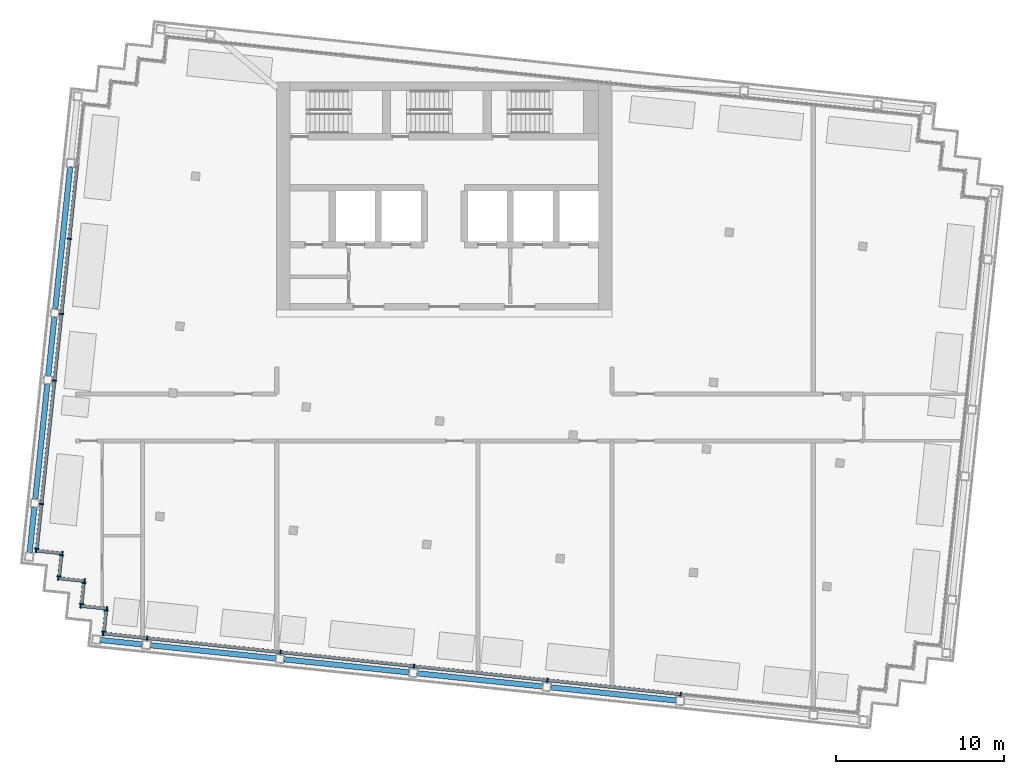
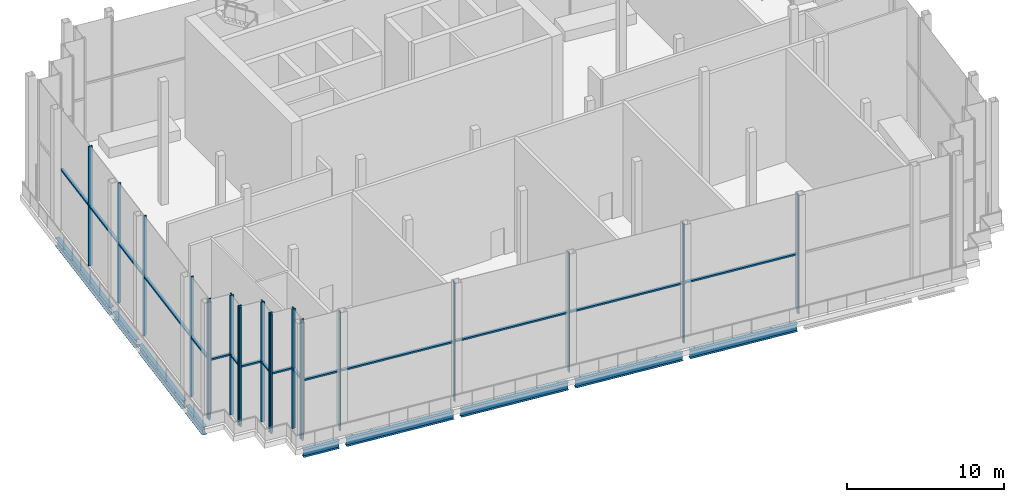
# One storey, part 2 of 14: 39 members, 9 beams, 8 elements without a shape of their own.
"""IFC4 building model written with IfcOpenShell, lengths in metres."""

from ifc_helpers import new_model, si_unit, direction, frame, origin, origin_2d, place, context, subcontext, project, spatial, rectangle, i_section, extrude, material, material_profile, profile_set, type_object, element, aggregate, save


model = new_model("IFC4")

# Units and contexts
model_context = context("Model", 3, precision=1e-05, world=origin(), true_north=direction((0.0, 1.0)))
body_context = subcontext(model_context, "Body", "Model", "MODEL_VIEW")
ifc_project = project(units=[si_unit("LENGTHUNIT", "METRE"), si_unit("AREAUNIT", "SQUARE_METRE"), si_unit("VOLUMEUNIT", "CUBIC_METRE"), si_unit("PLANEANGLEUNIT", "RADIAN"), si_unit("MASSUNIT", "GRAM", prefix="KILO")], contexts=[model_context])

# Site, building, storey
site_placement = place(None, origin())
site = spatial("IfcSite", under=ifc_project, at=site_placement, CompositionType="ELEMENT")
building_placement = place(site_placement, origin())
building = spatial("IfcBuilding", under=site, at=building_placement, Name="Vidyagriha Tower", CompositionType="ELEMENT")
storey_placement = place(building_placement, frame((0.0, 0.0, 281.89990234375)))
storey = spatial("IfcBuildingStorey", under=building, at=storey_placement, Name="L74", CompositionType="ELEMENT", Elevation=281.89990234375)

# Beams
ifc_material_1 = material(Name="Steel ASTM A992 Grade 50", Category="steel")
ifc_material_profile_1 = material_profile(ifc_material_1, i_section(OverallWidth=0.32373046875, OverallDepth=0.612060546875, WebThickness=0.0126953125, FlangeThickness=0.01904296875, at=origin_2d()), Name="W24X104")
ifc_profile_set_1 = profile_set([ifc_material_profile_1], Name="Steel ASTM A992 Grade 50")
beam_type = type_object("IfcBeamType", Name="Edge beam W24X104", PredefinedType="SPANDREL", material=ifc_profile_set_1)
beam_1_placement = place(storey_placement, frame((-20.50341796875, -13.268798828125, -0.7060546875), z_axis=(0.994525767953, -0.104491611519, 0.0), x_axis=(0.104491611519, 0.994525767953, 0.0)))
element("IfcBeam", 1, at=beam_1_placement, inside=storey, type_object=beam_type, Name="st-beam-L74-S01", PredefinedType="SPANDREL", context=body_context, shape_type="SweptSolid", body=[
    extrude(i_section(OverallWidth=0.32373046875, OverallDepth=0.612060546875, WebThickness=0.0126953125, FlangeThickness=0.01904296875, at=origin_2d()), origin(), (0.0, 0.0, 1.0), 2.5),
])
for number, where, z_axis, x_axis, name in (
    (2, (-17.519775390625, -13.582275390625, -0.7060546875), (0.994522384662, -0.104523807841, 0.0), (0.104523807841, 0.994522384662, 0.0), "st-beam-L74-S02"),
    (3, (-9.563720703125, -14.418701171875, -0.7060546875), (0.994525767953, -0.104491611519, 0.0), (0.104491611519, 0.994525767953, 0.0), "st-beam-L74-S03"),
    (4, (-1.607421875, -15.2548828125, -0.7060546875), (0.994522384662, -0.104523807841, 0.0), (0.104523807841, 0.994522384662, 0.0), "st-beam-L74-S04"),
    (5, (6.3486328125, -16.091064453125, -0.7060546875), (0.994522384662, -0.104523807841, 0.0), (0.104523807841, 0.994522384662, 0.0), "st-beam-L74-S05"),
):
    element("IfcBeam", number, at=place(storey_placement, frame(where, z_axis=z_axis, x_axis=x_axis)), inside=storey, type_object=beam_type, Name=name, PredefinedType="SPANDREL", context=body_context, shape_type="SweptSolid", body=[
        extrude(i_section(OverallWidth=0.32373046875, OverallDepth=0.612060546875, WebThickness=0.0126953125, FlangeThickness=0.01904296875, at=origin_2d()), origin(), (0.0, 0.0, 1.0), 7.5),
    ])
beam_2_placement = place(storey_placement, frame((-24.730712890625, -8.04833984375, -0.7060546875), z_axis=(0.104524753323, 0.994522285292, 0.0), x_axis=(-0.994522285292, 0.104524753323, 0.0)))
element("IfcBeam", 6, at=beam_2_placement, inside=storey, type_object=beam_type, Name="st-beam-L74-W08", PredefinedType="SPANDREL", context=body_context, shape_type="SweptSolid", body=[
    extrude(i_section(OverallWidth=0.32373046875, OverallDepth=0.612060546875, WebThickness=0.0126953125, FlangeThickness=0.01904296875, at=origin_2d()), origin(), (0.0, 0.0, 1.0), 2.7001953125),
])
beam_3_placement = place(storey_placement, frame((-24.396484375, -4.86572265625, -0.7060546875), z_axis=(0.104557694553, 0.994518822602, 0.0), x_axis=(-0.994518822602, 0.104557694553, 0.0)))
element("IfcBeam", 7, at=beam_3_placement, inside=storey, type_object=beam_type, Name="st-beam-L74-W09", PredefinedType="SPANDREL", context=body_context, shape_type="SweptSolid", body=[
    extrude(i_section(OverallWidth=0.32373046875, OverallDepth=0.612060546875, WebThickness=0.0126953125, FlangeThickness=0.01904296875, at=origin_2d()), origin(), (0.0, 0.0, 1.0), 6.89990234375),
])
beam_4_placement = place(storey_placement, frame((-23.622802734375, 2.49365234375, -0.7060546875), z_axis=(0.104488712073, 0.994526072584, 0.0), x_axis=(-0.994526072584, 0.104488712073, 0.0)))
element("IfcBeam", 8, at=beam_4_placement, inside=storey, type_object=beam_type, Name="st-beam-L74-W10", PredefinedType="SPANDREL", context=body_context, shape_type="SweptSolid", body=[
    extrude(i_section(OverallWidth=0.32373046875, OverallDepth=0.612060546875, WebThickness=0.0126953125, FlangeThickness=0.01904296875, at=origin_2d()), origin(), (0.0, 0.0, 1.0), 3.5),
])
beam_5_placement = place(storey_placement, frame((-23.20458984375, 6.4716796875, -0.7060546875), z_axis=(0.104518825829, 0.994522908257, 0.0), x_axis=(-0.994522908257, 0.104518825829, 0.0)))
element("IfcBeam", 9, at=beam_5_placement, inside=storey, type_object=beam_type, Name="st-beam-L74-W11", PredefinedType="SPANDREL", context=body_context, shape_type="SweptSolid", body=[
    extrude(i_section(OverallWidth=0.32373046875, OverallDepth=0.612060546875, WebThickness=0.0126953125, FlangeThickness=0.01904296875, at=origin_2d()), origin(), (0.0, 0.0, 1.0), 8.500244140625),
])

# Curtain wall, members
ifc_material_2 = material(Name="Aluminium and glass curtain wall", Category="aluminium")
curtain_wall_type = type_object("IfcCurtainWallType", Name="Winter garden glazing wall", PredefinedType="USERDEFINED", material=ifc_material_2)
curtain_wall_1_placement = place(storey_placement, origin())
curtain_wall_1 = element("IfcCurtainWall", 10, at=curtain_wall_1_placement, inside=storey, type_object=curtain_wall_type, Name="CW3 winter garden glazing", ObjectType="STICK GLAZING", PredefinedType="USERDEFINED")
ifc_material_3 = material(Name="Aluminium black anodised", Category="aluminium")
ifc_material_profile_2 = material_profile(ifc_material_3, rectangle(XDim=0.260009765625, YDim=0.080078125, at=origin_2d()), Name="Mullion 80x260 black aluminium")
ifc_profile_set_2 = profile_set([ifc_material_profile_2], Name="Aluminium black anodised")
member_type_1 = type_object("IfcMemberType", Name="Mullion 80x260 black aluminium", PredefinedType="MULLION", material=ifc_profile_set_2)
member_1_placement = place(storey_placement, frame((-22.36279296875, 10.656494140625, 0.0), z_axis=(0.0, 0.0, 1.0), x_axis=(0.994522018715, -0.104527289697, 0.0)))
member_1 = element("IfcMember", 11, at=member_1_placement, type_object=member_type_1, Name="CW3 mullion 3", PredefinedType="MULLION", context=body_context, shape_type="SweptSolid", body=[
    extrude(rectangle(XDim=0.260009765625, YDim=0.080078125, at=origin_2d()), origin(), (0.0, 0.0, 1.0), 9.320068359375),
])
member_2_placement = place(storey_placement, frame((-22.8330078125, 6.181396484375, 0.0), z_axis=(0.0, 0.0, 1.0), x_axis=(0.994522018715, -0.104527289697, 0.0)))
member_2 = element("IfcMember", 12, at=member_2_placement, type_object=member_type_1, Name="CW3 mullion 4", PredefinedType="MULLION", context=body_context, shape_type="SweptSolid", body=[
    extrude(rectangle(XDim=0.260009765625, YDim=0.080078125, at=origin_2d()), origin(), (0.0, 0.0, 1.0), 9.320068359375),
])
member_3_placement = place(storey_placement, frame((-23.251220703125, 2.203125, 0.0), z_axis=(0.0, 0.0, 1.0), x_axis=(0.994522018715, -0.104527289697, 0.0)))
member_3 = element("IfcMember", 13, at=member_3_placement, type_object=member_type_1, Name="CW3 mullion 5", PredefinedType="MULLION", context=body_context, shape_type="SweptSolid", body=[
    extrude(rectangle(XDim=0.260009765625, YDim=0.080078125, at=origin_2d()), origin(), (0.0, 0.0, 1.0), 9.320068359375),
])
member_4_placement = place(storey_placement, frame((-24.024658203125, -5.15625, 0.0), z_axis=(0.0, 0.0, 1.0), x_axis=(0.994522018715, -0.104527289697, 0.0)))
member_4 = element("IfcMember", 14, at=member_4_placement, type_object=member_type_1, Name="CW3 mullion 6", PredefinedType="MULLION", context=body_context, shape_type="SweptSolid", body=[
    extrude(rectangle(XDim=0.260009765625, YDim=0.080078125, at=origin_2d()), origin(), (0.0, 0.0, 1.0), 9.320068359375),
])
member_5_placement = place(storey_placement, frame((-24.304931640625, -7.821533203125, 0.0), z_axis=(0.0, 0.0, 1.0), x_axis=(0.994522018715, -0.104527289697, 0.0)))
member_5 = element("IfcMember", 15, at=member_5_placement, type_object=member_type_1, Name="CW3 mullion 7", PredefinedType="MULLION", context=body_context, shape_type="SweptSolid", body=[
    extrude(rectangle(XDim=0.260009765625, YDim=0.080078125, at=origin_2d()), origin(), (0.0, 0.0, 1.0), 9.320068359375),
])

curtain_wall_2_placement = place(storey_placement, origin())
curtain_wall_2 = element("IfcCurtainWall", 16, at=curtain_wall_2_placement, inside=storey, type_object=curtain_wall_type, Name="CW3 winter garden glazing", ObjectType="STICK GLAZING", PredefinedType="USERDEFINED")
member_6_placement = place(storey_placement, frame((-24.357177734375, -7.936767578125, 0.0), z_axis=(0.0, 0.0, 1.0), x_axis=(0.104518583201, 0.994522933756, 0.0)))
member_6 = element("IfcMember", 17, at=member_6_placement, type_object=member_type_1, Name="CW3 mullion 1", PredefinedType="MULLION", context=body_context, shape_type="SweptSolid", body=[
    extrude(rectangle(XDim=0.260009765625, YDim=0.080078125, at=origin_2d()), origin(), (0.0, 0.0, 1.0), 9.320068359375),
])
member_7_placement = place(storey_placement, frame((-22.785888671875, -8.101806640625, 0.0), z_axis=(0.0, 0.0, 1.0), x_axis=(0.104518583201, 0.994522933756, 0.0)))
member_7 = element("IfcMember", 18, at=member_7_placement, type_object=member_type_1, Name="CW3 mullion 2", PredefinedType="MULLION", context=body_context, shape_type="SweptSolid", body=[
    extrude(rectangle(XDim=0.260009765625, YDim=0.080078125, at=origin_2d()), origin(), (0.0, 0.0, 1.0), 9.320068359375),
])

curtain_wall_3_placement = place(storey_placement, origin())
curtain_wall_3 = element("IfcCurtainWall", 19, at=curtain_wall_3_placement, inside=storey, type_object=curtain_wall_type, Name="CW3 winter garden glazing", ObjectType="STICK GLAZING", PredefinedType="USERDEFINED")
member_8_placement = place(storey_placement, frame((-22.838134765625, -8.217041015625, 0.0), z_axis=(0.0, 0.0, 1.0), x_axis=(0.994518939392, -0.104556583677, 0.0)))
member_8 = element("IfcMember", 20, at=member_8_placement, type_object=member_type_1, Name="CW3 mullion 1", PredefinedType="MULLION", context=body_context, shape_type="SweptSolid", body=[
    extrude(rectangle(XDim=0.260009765625, YDim=0.080078125, at=origin_2d()), origin(), (0.0, 0.0, 1.0), 9.320068359375),
])
member_9_placement = place(storey_placement, frame((-22.9697265625, -9.47021484375, 0.0), z_axis=(0.0, 0.0, 1.0), x_axis=(0.994518939392, -0.104556583677, 0.0)))
member_9 = element("IfcMember", 21, at=member_9_placement, type_object=member_type_1, Name="CW3 mullion 2", PredefinedType="MULLION", context=body_context, shape_type="SweptSolid", body=[
    extrude(rectangle(XDim=0.260009765625, YDim=0.080078125, at=origin_2d()), origin(), (0.0, 0.0, 1.0), 9.320068359375),
])

curtain_wall_4_placement = place(storey_placement, origin())
curtain_wall_4 = element("IfcCurtainWall", 22, at=curtain_wall_4_placement, inside=storey, type_object=curtain_wall_type, Name="CW3 winter garden glazing", ObjectType="STICK GLAZING", PredefinedType="USERDEFINED")
member_10_placement = place(storey_placement, frame((-23.022216796875, -9.585205078125, 0.0), z_axis=(0.0, 0.0, 1.0), x_axis=(0.104458999463, 0.994529193856, 0.0)))
member_10 = element("IfcMember", 23, at=member_10_placement, type_object=member_type_1, Name="CW3 mullion 1", PredefinedType="MULLION", context=body_context, shape_type="SweptSolid", body=[
    extrude(rectangle(XDim=0.260009765625, YDim=0.080078125, at=origin_2d()), origin(), (0.0, 0.0, 1.0), 9.320068359375),
])
member_11_placement = place(storey_placement, frame((-21.45068359375, -9.750244140625, 0.0), z_axis=(0.0, 0.0, 1.0), x_axis=(0.104458999463, 0.994529193856, 0.0)))
member_11 = element("IfcMember", 24, at=member_11_placement, type_object=member_type_1, Name="CW3 mullion 2", PredefinedType="MULLION", context=body_context, shape_type="SweptSolid", body=[
    extrude(rectangle(XDim=0.260009765625, YDim=0.080078125, at=origin_2d()), origin(), (0.0, 0.0, 1.0), 9.320068359375),
])

curtain_wall_5_placement = place(storey_placement, origin())
curtain_wall_5 = element("IfcCurtainWall", 25, at=curtain_wall_5_placement, inside=storey, type_object=curtain_wall_type, Name="CW3 winter garden glazing", ObjectType="STICK GLAZING", PredefinedType="USERDEFINED")
member_12_placement = place(storey_placement, frame((-21.503173828125, -9.865478515625, 0.0), z_axis=(0.0, 0.0, 1.0), x_axis=(0.994519755162, -0.104548823962, 0.0)))
member_12 = element("IfcMember", 26, at=member_12_placement, type_object=member_type_1, Name="CW3 mullion 1", PredefinedType="MULLION", context=body_context, shape_type="SweptSolid", body=[
    extrude(rectangle(XDim=0.260009765625, YDim=0.080078125, at=origin_2d()), origin(), (0.0, 0.0, 1.0), 9.320068359375),
])
member_13_placement = place(storey_placement, frame((-21.634765625, -11.11865234375, 0.0), z_axis=(0.0, 0.0, 1.0), x_axis=(0.994519755162, -0.104548823962, 0.0)))
member_13 = element("IfcMember", 27, at=member_13_placement, type_object=member_type_1, Name="CW3 mullion 2", PredefinedType="MULLION", context=body_context, shape_type="SweptSolid", body=[
    extrude(rectangle(XDim=0.260009765625, YDim=0.080078125, at=origin_2d()), origin(), (0.0, 0.0, 1.0), 9.320068359375),
])

curtain_wall_6_placement = place(storey_placement, origin())
curtain_wall_6 = element("IfcCurtainWall", 28, at=curtain_wall_6_placement, inside=storey, type_object=curtain_wall_type, Name="CW3 winter garden glazing", ObjectType="STICK GLAZING", PredefinedType="USERDEFINED")
member_14_placement = place(storey_placement, frame((-21.68701171875, -11.23388671875, 0.0), z_axis=(0.0, 0.0, 1.0), x_axis=(0.104518583201, 0.994522933756, 0.0)))
member_14 = element("IfcMember", 29, at=member_14_placement, type_object=member_type_1, Name="CW3 mullion 1", PredefinedType="MULLION", context=body_context, shape_type="SweptSolid", body=[
    extrude(rectangle(XDim=0.260009765625, YDim=0.080078125, at=origin_2d()), origin(), (0.0, 0.0, 1.0), 9.320068359375),
])
member_15_placement = place(storey_placement, frame((-20.11572265625, -11.39892578125, 0.0), z_axis=(0.0, 0.0, 1.0), x_axis=(0.104518583201, 0.994522933756, 0.0)))
member_15 = element("IfcMember", 30, at=member_15_placement, type_object=member_type_1, Name="CW3 mullion 2", PredefinedType="MULLION", context=body_context, shape_type="SweptSolid", body=[
    extrude(rectangle(XDim=0.260009765625, YDim=0.080078125, at=origin_2d()), origin(), (0.0, 0.0, 1.0), 9.320068359375),
])

curtain_wall_7_placement = place(storey_placement, origin())
curtain_wall_7 = element("IfcCurtainWall", 31, at=curtain_wall_7_placement, inside=storey, type_object=curtain_wall_type, Name="CW3 winter garden glazing", ObjectType="STICK GLAZING", PredefinedType="USERDEFINED")
member_16_placement = place(storey_placement, frame((-20.16796875, -11.51416015625, 0.0), z_axis=(0.0, 0.0, 1.0), x_axis=(0.994518939392, -0.104556583677, 0.0)))
member_16 = element("IfcMember", 32, at=member_16_placement, type_object=member_type_1, Name="CW3 mullion 1", PredefinedType="MULLION", context=body_context, shape_type="SweptSolid", body=[
    extrude(rectangle(XDim=0.260009765625, YDim=0.080078125, at=origin_2d()), origin(), (0.0, 0.0, 1.0), 9.320068359375),
])
member_17_placement = place(storey_placement, frame((-20.2998046875, -12.767333984375, 0.0), z_axis=(0.0, 0.0, 1.0), x_axis=(0.994518939392, -0.104556583677, 0.0)))
member_17 = element("IfcMember", 33, at=member_17_placement, type_object=member_type_1, Name="CW3 mullion 2", PredefinedType="MULLION", context=body_context, shape_type="SweptSolid", body=[
    extrude(rectangle(XDim=0.260009765625, YDim=0.080078125, at=origin_2d()), origin(), (0.0, 0.0, 1.0), 9.320068359375),
])

curtain_wall_8_placement = place(storey_placement, origin())
curtain_wall_8 = element("IfcCurtainWall", 34, at=curtain_wall_8_placement, inside=storey, type_object=curtain_wall_type, Name="CW3 winter garden glazing", ObjectType="STICK GLAZING", PredefinedType="USERDEFINED")
member_18_placement = place(storey_placement, frame((-20.35205078125, -12.88232421875, 0.0), z_axis=(0.0, 0.0, 1.0), x_axis=(0.104528251556, 0.99452191762, 0.0)))
member_18 = element("IfcMember", 35, at=member_18_placement, type_object=member_type_1, Name="CW3 mullion 1", PredefinedType="MULLION", context=body_context, shape_type="SweptSolid", body=[
    extrude(rectangle(XDim=0.260009765625, YDim=0.080078125, at=origin_2d()), origin(), (0.0, 0.0, 1.0), 9.320068359375),
])
member_19_placement = place(storey_placement, frame((-17.7265625, -13.158447265625, 0.0), z_axis=(0.0, 0.0, 1.0), x_axis=(0.104528251556, 0.99452191762, 0.0)))
member_19 = element("IfcMember", 36, at=member_19_placement, type_object=member_type_1, Name="CW3 mullion 2", PredefinedType="MULLION", context=body_context, shape_type="SweptSolid", body=[
    extrude(rectangle(XDim=0.260009765625, YDim=0.080078125, at=origin_2d()), origin(), (0.0, 0.0, 1.0), 9.320068359375),
])
member_20_placement = place(storey_placement, frame((-9.7705078125, -13.99462890625, 0.0), z_axis=(0.0, 0.0, 1.0), x_axis=(0.104528251556, 0.99452191762, 0.0)))
member_20 = element("IfcMember", 37, at=member_20_placement, type_object=member_type_1, Name="CW3 mullion 3", PredefinedType="MULLION", context=body_context, shape_type="SweptSolid", body=[
    extrude(rectangle(XDim=0.260009765625, YDim=0.080078125, at=origin_2d()), origin(), (0.0, 0.0, 1.0), 9.320068359375),
])
member_21_placement = place(storey_placement, frame((-1.814208984375, -14.830810546875, 0.0), z_axis=(0.0, 0.0, 1.0), x_axis=(0.104528251556, 0.99452191762, 0.0)))
member_21 = element("IfcMember", 38, at=member_21_placement, type_object=member_type_1, Name="CW3 mullion 4", PredefinedType="MULLION", context=body_context, shape_type="SweptSolid", body=[
    extrude(rectangle(XDim=0.260009765625, YDim=0.080078125, at=origin_2d()), origin(), (0.0, 0.0, 1.0), 9.320068359375),
])
member_22_placement = place(storey_placement, frame((6.141845703125, -15.6669921875, 0.0), z_axis=(0.0, 0.0, 1.0), x_axis=(0.104528251556, 0.99452191762, 0.0)))
member_22 = element("IfcMember", 39, at=member_22_placement, type_object=member_type_1, Name="CW3 mullion 5", PredefinedType="MULLION", context=body_context, shape_type="SweptSolid", body=[
    extrude(rectangle(XDim=0.260009765625, YDim=0.080078125, at=origin_2d()), origin(), (0.0, 0.0, 1.0), 9.320068359375),
])
member_23_placement = place(storey_placement, frame((14.09814453125, -16.503173828125, 0.0), z_axis=(0.0, 0.0, 1.0), x_axis=(0.104528251556, 0.99452191762, 0.0)))
member_23 = element("IfcMember", 40, at=member_23_placement, type_object=member_type_1, Name="CW3 mullion 6", PredefinedType="MULLION", context=body_context, shape_type="SweptSolid", body=[
    extrude(rectangle(XDim=0.260009765625, YDim=0.080078125, at=origin_2d()), origin(), (0.0, 0.0, 1.0), 9.320068359375),
])

# Member
ifc_material_4 = material(Name="Aluminium black anodised", Category="aluminium")
ifc_material_profile_3 = material_profile(ifc_material_4, rectangle(XDim=0.199951171875, YDim=0.1201171875, at=origin_2d()), Name="Transom 120x200 black aluminium")
ifc_profile_set_3 = profile_set([ifc_material_profile_3], Name="Aluminium black anodised")
member_type_2 = type_object("IfcMemberType", Name="Transom 120x200 black aluminium", PredefinedType="USERDEFINED", material=ifc_profile_set_3)
member_24_placement = place(storey_placement, frame((-21.896484375, 15.09228515625, 4.66015625), z_axis=(-0.104555403045, -0.994519063515, 0.0), x_axis=(0.994519063515, -0.104555403045, 0.0)))
member_24 = element("IfcMember", 41, at=member_24_placement, type_object=member_type_2, Name="CW3 transom 2.1", ObjectType="TRANSOM", PredefinedType="USERDEFINED", context=body_context, shape_type="SweptSolid", body=[
    extrude(rectangle(XDim=0.199951171875, YDim=0.1201171875, at=origin_2d()), origin(), (0.0, 0.0, 1.0), 4.420166015625),
])

member_25_placement = place(storey_placement, frame((-22.366943359375, 10.61669921875, 4.66015625), z_axis=(-0.104512255544, -0.994523598735, 0.0), x_axis=(0.994523598735, -0.104512255544, 0.0)))
member_25 = element("IfcMember", 42, at=member_25_placement, type_object=member_type_2, Name="CW3 transom 3.1", ObjectType="TRANSOM", PredefinedType="USERDEFINED", context=body_context, shape_type="SweptSolid", body=[
    extrude(rectangle(XDim=0.199951171875, YDim=0.1201171875, at=origin_2d()), origin(), (0.0, 0.0, 1.0), 4.419677734375),
])

member_26_placement = place(storey_placement, frame((-22.837158203125, 6.1416015625, 4.66015625), z_axis=(-0.104564834539, -0.994518071921, 0.0), x_axis=(0.994518071921, -0.104564834539, 0.0)))
member_26 = element("IfcMember", 43, at=member_26_placement, type_object=member_type_2, Name="CW3 transom 4.1", ObjectType="TRANSOM", PredefinedType="USERDEFINED", context=body_context, shape_type="SweptSolid", body=[
    extrude(rectangle(XDim=0.199951171875, YDim=0.1201171875, at=origin_2d()), origin(), (0.0, 0.0, 1.0), 3.920166015625),
])

member_27_placement = place(storey_placement, frame((-23.25537109375, 2.163330078125, 4.66015625), z_axis=(-0.10452852637, -0.994521888736, 0.0), x_axis=(0.994521888736, -0.10452852637, 0.0)))
member_27 = element("IfcMember", 44, at=member_27_placement, type_object=member_type_2, Name="CW3 transom 5.1", ObjectType="TRANSOM", PredefinedType="USERDEFINED", context=body_context, shape_type="SweptSolid", body=[
    extrude(rectangle(XDim=0.199951171875, YDim=0.1201171875, at=origin_2d()), origin(), (0.0, 0.0, 1.0), 7.31982421875),
])

member_28_placement = place(storey_placement, frame((-24.02880859375, -5.196044921875, 4.66015625), z_axis=(-0.104513699976, -0.994523446942, 0.0), x_axis=(0.994523446942, -0.104513699976, 0.0)))
member_28 = element("IfcMember", 45, at=member_28_placement, type_object=member_type_2, Name="CW3 transom 6.1", ObjectType="TRANSOM", PredefinedType="USERDEFINED", context=body_context, shape_type="SweptSolid", body=[
    extrude(rectangle(XDim=0.199951171875, YDim=0.1201171875, at=origin_2d()), origin(), (0.0, 0.0, 1.0), 2.599853515625),
])

aggregate(curtain_wall_1, [member_1, member_2, member_3, member_4, member_5, member_24, member_25, member_26, member_27, member_28])

member_29_placement = place(storey_placement, frame((-24.3173828125, -7.94091796875, 4.66015625), z_axis=(0.994525057048, -0.104498377516, 0.0), x_axis=(0.104498377516, 0.994525057048, 0.0)))
member_29 = element("IfcMember", 46, at=member_29_placement, type_object=member_type_2, Name="CW3 transom 1.1", ObjectType="TRANSOM", PredefinedType="USERDEFINED", context=body_context, shape_type="SweptSolid", body=[
    extrude(rectangle(XDim=0.199951171875, YDim=0.1201171875, at=origin_2d()), origin(), (0.0, 0.0, 1.0), 1.5),
])

aggregate(curtain_wall_2, [member_6, member_7, member_29])

member_30_placement = place(storey_placement, frame((-22.84228515625, -8.2568359375, 4.66015625), z_axis=(-0.104480158203, -0.994526971249, 0.0), x_axis=(0.994526971249, -0.104480158203, 0.0)))
member_30 = element("IfcMember", 47, at=member_30_placement, type_object=member_type_2, Name="CW3 transom 1.1", ObjectType="TRANSOM", PredefinedType="USERDEFINED", context=body_context, shape_type="SweptSolid", body=[
    extrude(rectangle(XDim=0.199951171875, YDim=0.1201171875, at=origin_2d()), origin(), (0.0, 0.0, 1.0), 1.179931640625),
])

aggregate(curtain_wall_3, [member_8, member_9, member_30])

member_31_placement = place(storey_placement, frame((-22.982421875, -9.58935546875, 4.66015625), z_axis=(0.994526834051, -0.104481464157, 0.0), x_axis=(0.104481464157, 0.994526834051, 0.0)))
member_31 = element("IfcMember", 48, at=member_31_placement, type_object=member_type_2, Name="CW3 transom 1.1", ObjectType="TRANSOM", PredefinedType="USERDEFINED", context=body_context, shape_type="SweptSolid", body=[
    extrude(rectangle(XDim=0.199951171875, YDim=0.1201171875, at=origin_2d()), origin(), (0.0, 0.0, 1.0), 1.500244140625),
])

aggregate(curtain_wall_4, [member_10, member_11, member_31])

member_32_placement = place(storey_placement, frame((-21.50732421875, -9.9052734375, 4.66015625), z_axis=(-0.104480158203, -0.994526971249, 0.0), x_axis=(0.994526971249, -0.104480158203, 0.0)))
member_32 = element("IfcMember", 49, at=member_32_placement, type_object=member_type_2, Name="CW3 transom 1.1", ObjectType="TRANSOM", PredefinedType="USERDEFINED", context=body_context, shape_type="SweptSolid", body=[
    extrude(rectangle(XDim=0.199951171875, YDim=0.1201171875, at=origin_2d()), origin(), (0.0, 0.0, 1.0), 1.179931640625),
])

aggregate(curtain_wall_5, [member_12, member_13, member_32])

member_33_placement = place(storey_placement, frame((-21.647216796875, -11.238037109375, 4.66015625), z_axis=(0.994525057048, -0.104498377516, 0.0), x_axis=(0.104498377516, 0.994525057048, 0.0)))
member_33 = element("IfcMember", 50, at=member_33_placement, type_object=member_type_2, Name="CW3 transom 1.1", ObjectType="TRANSOM", PredefinedType="USERDEFINED", context=body_context, shape_type="SweptSolid", body=[
    extrude(rectangle(XDim=0.199951171875, YDim=0.1201171875, at=origin_2d()), origin(), (0.0, 0.0, 1.0), 1.5),
])

aggregate(curtain_wall_6, [member_14, member_15, member_33])

member_34_placement = place(storey_placement, frame((-20.17236328125, -11.553955078125, 4.66015625), z_axis=(-0.104480158203, -0.994526971249, 0.0), x_axis=(0.994526971249, -0.104480158203, 0.0)))
member_34 = element("IfcMember", 51, at=member_34_placement, type_object=member_type_2, Name="CW3 transom 1.1", ObjectType="TRANSOM", PredefinedType="USERDEFINED", context=body_context, shape_type="SweptSolid", body=[
    extrude(rectangle(XDim=0.199951171875, YDim=0.1201171875, at=origin_2d()), origin(), (0.0, 0.0, 1.0), 1.179931640625),
])

aggregate(curtain_wall_7, [member_16, member_17, member_34])

member_35_placement = place(storey_placement, frame((-20.312255859375, -12.886474609375, 4.66015625), z_axis=(0.994522162708, -0.104525919671, 0.0), x_axis=(0.104525919671, 0.994522162708, 0.0)))
member_35 = element("IfcMember", 52, at=member_35_placement, type_object=member_type_2, Name="CW3 transom 1.1", ObjectType="TRANSOM", PredefinedType="USERDEFINED", context=body_context, shape_type="SweptSolid", body=[
    extrude(rectangle(XDim=0.199951171875, YDim=0.1201171875, at=origin_2d()), origin(), (0.0, 0.0, 1.0), 2.559814453125),
])

member_36_placement = place(storey_placement, frame((-17.686767578125, -13.16259765625, 4.66015625), z_axis=(0.994521824685, -0.104529135775, 0.0), x_axis=(0.104529135775, 0.994521824685, 0.0)))
member_36 = element("IfcMember", 53, at=member_36_placement, type_object=member_type_2, Name="CW3 transom 2.1", ObjectType="TRANSOM", PredefinedType="USERDEFINED", context=body_context, shape_type="SweptSolid", body=[
    extrude(rectangle(XDim=0.199951171875, YDim=0.1201171875, at=origin_2d()), origin(), (0.0, 0.0, 1.0), 7.920166015625),
])

member_37_placement = place(storey_placement, frame((-9.730712890625, -13.998779296875, 4.66015625), z_axis=(0.994521824685, -0.104529135775, 0.0), x_axis=(0.104529135775, 0.994521824685, 0.0)))
member_37 = element("IfcMember", 54, at=member_37_placement, type_object=member_type_2, Name="CW3 transom 3.1", ObjectType="TRANSOM", PredefinedType="USERDEFINED", context=body_context, shape_type="SweptSolid", body=[
    extrude(rectangle(XDim=0.199951171875, YDim=0.1201171875, at=origin_2d()), origin(), (0.0, 0.0, 1.0), 7.920166015625),
])

member_38_placement = place(storey_placement, frame((-1.7744140625, -14.8349609375, 4.66015625), z_axis=(0.99452148786, -0.10453234038, 0.0), x_axis=(0.10453234038, 0.99452148786, 0.0)))
member_38 = element("IfcMember", 55, at=member_38_placement, type_object=member_type_2, Name="CW3 transom 4.1", ObjectType="TRANSOM", PredefinedType="USERDEFINED", context=body_context, shape_type="SweptSolid", body=[
    extrude(rectangle(XDim=0.199951171875, YDim=0.1201171875, at=origin_2d()), origin(), (0.0, 0.0, 1.0), 7.919921875),
])

member_39_placement = place(storey_placement, frame((6.181640625, -15.671142578125, 4.66015625), z_axis=(0.994521824685, -0.104529135775, 0.0), x_axis=(0.104529135775, 0.994521824685, 0.0)))
member_39 = element("IfcMember", 56, at=member_39_placement, type_object=member_type_2, Name="CW3 transom 5.1", ObjectType="TRANSOM", PredefinedType="USERDEFINED", context=body_context, shape_type="SweptSolid", body=[
    extrude(rectangle(XDim=0.199951171875, YDim=0.1201171875, at=origin_2d()), origin(), (0.0, 0.0, 1.0), 7.920166015625),
])

aggregate(curtain_wall_8, [member_18, member_19, member_20, member_21, member_22, member_23, member_35, member_36, member_37, member_38, member_39])

save(model, "model.ifc")
